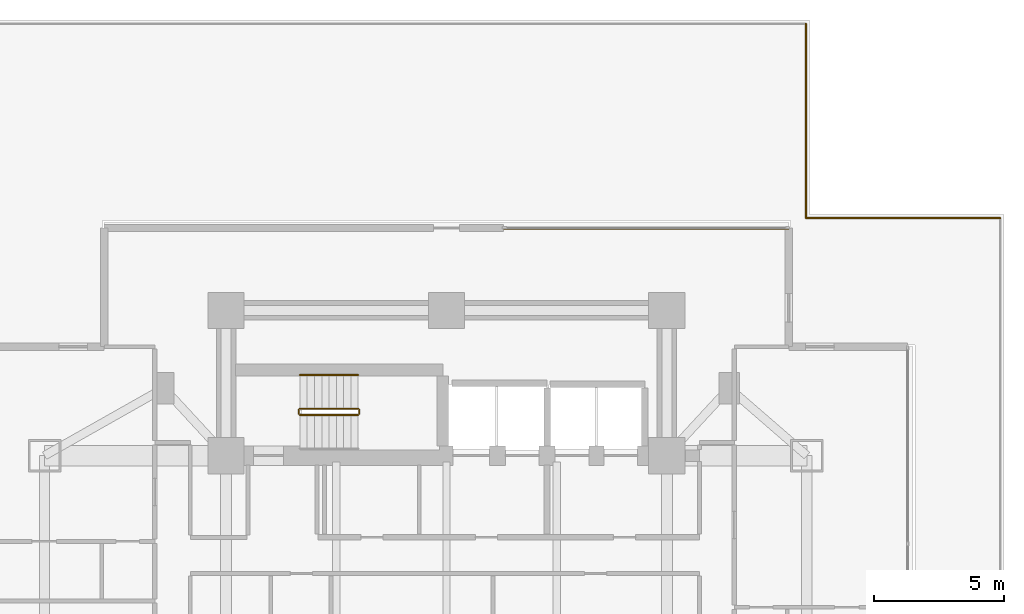
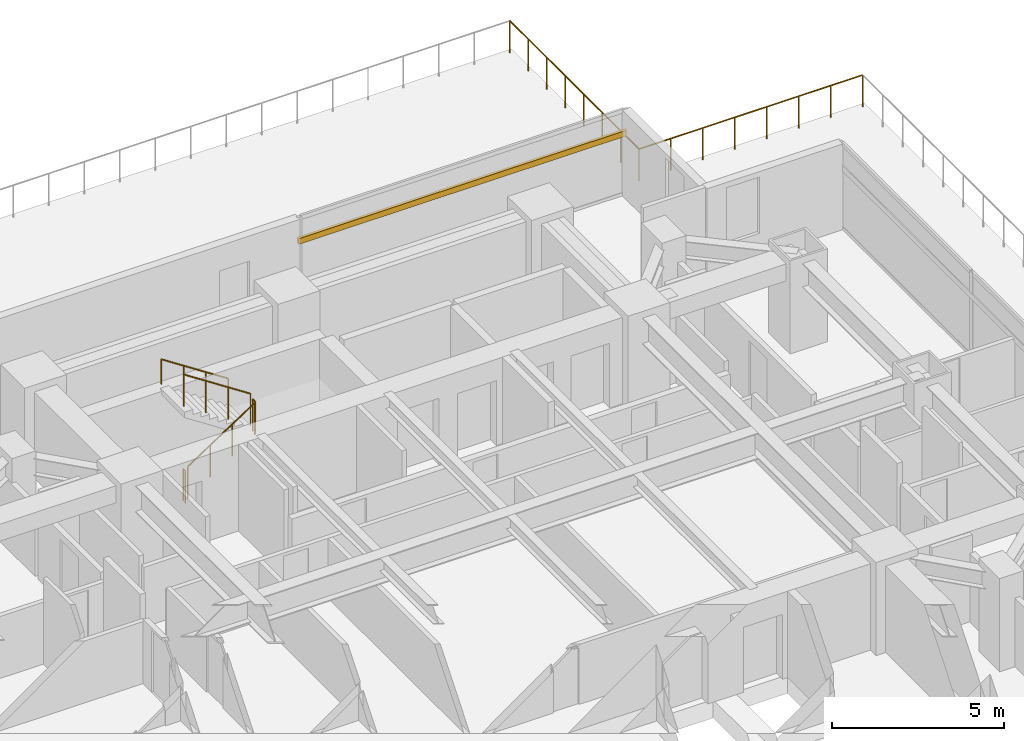
# One storey, part 26 of 26: 7 railings, 1 shading device.
"""IFC4 building model written with IfcOpenShell, lengths in metres."""

from ifc_helpers import new_model, si_unit, direction, frame, origin, origin_2d, place, context, subcontext, project, spatial, rectangle, circle, extrude, material, material_profile, profile_set, type_object, element, save


model = new_model("IFC4")

# Units and contexts
model_context = context("Model", 3, precision=1e-05, world=origin(), true_north=direction((0.0, 1.0)))
body_context = subcontext(model_context, "Body", "Model", "MODEL_VIEW")
ifc_project = project(units=[si_unit("LENGTHUNIT", "METRE"), si_unit("AREAUNIT", "SQUARE_METRE"), si_unit("VOLUMEUNIT", "CUBIC_METRE"), si_unit("PLANEANGLEUNIT", "RADIAN"), si_unit("MASSUNIT", "GRAM", prefix="KILO")], contexts=[model_context])

# Site, building, storey
site_placement = place(None, origin())
site = spatial("IfcSite", under=ifc_project, at=site_placement, CompositionType="ELEMENT")
building_placement = place(site_placement, origin())
building = spatial("IfcBuilding", under=site, at=building_placement, Name="Mirazonda Arch Towers", CompositionType="ELEMENT")
storey_placement = place(building_placement, frame((0.0, 0.0, 22.39990234375)))
storey = spatial("IfcBuildingStorey", under=building, at=storey_placement, Name="L05", CompositionType="ELEMENT", Elevation=22.39990234375)

# Shading device
ifc_material_1 = material(Name="Kiln-Fired Architectural Terracotta", Category="masonry")
ifc_material_profile = material_profile(ifc_material_1, rectangle(XDim=0.10009765625, YDim=0.199951171875, at=origin_2d()), Name="TERRA-BAG-100x200")
ifc_profile_set = profile_set([ifc_material_profile], Name="Kiln-Fired Architectural Terracotta")
shading_device_type = type_object("IfcShadingDeviceType", Name="BAGUETTE-2", PredefinedType="USERDEFINED", material=ifc_profile_set)
shading_device_placement = place(storey_placement, frame((78.699951171875, 43.97998046875, 2.18896484375), z_axis=(1.0, 0.0, 0.0), x_axis=(0.0, 1.0, 0.0)))
element("IfcShadingDevice", 1, at=shading_device_placement, inside=storey, type_object=shading_device_type, Name="L05 Glazed Terracotta Sun-Screen Baguette CW-L05-T2-N", ObjectType="BAGUETTE", PredefinedType="USERDEFINED", context=body_context, shape_type="SweptSolid", body=[
    extrude(rectangle(XDim=0.10009765625, YDim=0.199951171875, at=origin_2d()), origin(), (0.0, 0.0, 1.0), 11.0),
])

# Railings
ifc_material_2 = material(Name="Architectural Brushed Steel S355", Category="steel")
railing_type_1 = type_object("IfcRailingType", Name="GUARD-EXT-1150", PredefinedType="GUARDRAIL", material=ifc_material_2)
railing_1_placement = place(storey_placement, frame((97.860107421875, 44.360107421875, 0.0)))
element("IfcRailing", 2, at=railing_1_placement, inside=storey, type_object=railing_type_1, Name="L05 Podium Roof Terrace Perimeter Guard 06", PredefinedType="GUARDRAIL", context=body_context, shape_type="SweptSolid", body=[
    extrude(circle(Radius=0.02392578125, at=origin_2d()), frame((0.0, 0.0, 1.1259765625), z_axis=(-1.0, 0.0, 0.0), x_axis=(0.0, -1.0, 0.0)), (0.0, 0.0, 1.0), 7.5),
    extrude(circle(Radius=0.02099609375, at=origin_2d()), origin(), (0.0, 0.0, 1.0), 1.101806640625),
    extrude(circle(Radius=0.02099609375, at=origin_2d()), frame((-1.071533203125, 0.0, 0.0)), (0.0, 0.0, 1.0), 1.101806640625),
    extrude(circle(Radius=0.02099609375, at=origin_2d()), frame((-2.142822265625, 0.0, 0.0)), (0.0, 0.0, 1.0), 1.101806640625),
    extrude(circle(Radius=0.02099609375, at=origin_2d()), frame((-3.21435546875, 0.0, 0.0)), (0.0, 0.0, 1.0), 1.101806640625),
    extrude(circle(Radius=0.02099609375, at=origin_2d()), frame((-4.28564453125, 0.0, 0.0)), (0.0, 0.0, 1.0), 1.101806640625),
    extrude(circle(Radius=0.02099609375, at=origin_2d()), frame((-5.357177734375, 0.0, 0.0)), (0.0, 0.0, 1.0), 1.101806640625),
    extrude(circle(Radius=0.02099609375, at=origin_2d()), frame((-6.428466796875, 0.0, 0.0)), (0.0, 0.0, 1.0), 1.101806640625),
    extrude(circle(Radius=0.02099609375, at=origin_2d()), frame((-7.5, 0.0, 0.0)), (0.0, 0.0, 1.0), 1.101806640625),
])
railing_2_placement = place(storey_placement, frame((90.360107421875, 44.360107421875, 0.0)))
element("IfcRailing", 3, at=railing_2_placement, inside=storey, type_object=railing_type_1, Name="L05 Podium Roof Terrace Perimeter Guard 07", PredefinedType="GUARDRAIL", context=body_context, shape_type="SweptSolid", body=[
    extrude(circle(Radius=0.02392578125, at=origin_2d()), frame((0.0, 0.0, 1.1259765625), z_axis=(0.0, 1.0, 0.0), x_axis=(-1.0, 0.0, 0.0)), (0.0, 0.0, 1.0), 7.5),
    extrude(circle(Radius=0.02099609375, at=origin_2d()), origin(), (0.0, 0.0, 1.0), 1.101806640625),
    extrude(circle(Radius=0.02099609375, at=origin_2d()), frame((0.0, 1.071533203125, 0.0)), (0.0, 0.0, 1.0), 1.101806640625),
    extrude(circle(Radius=0.02099609375, at=origin_2d()), frame((0.0, 2.142822265625, 0.0)), (0.0, 0.0, 1.0), 1.101806640625),
    extrude(circle(Radius=0.02099609375, at=origin_2d()), frame((0.0, 3.21435546875, 0.0)), (0.0, 0.0, 1.0), 1.101806640625),
    extrude(circle(Radius=0.02099609375, at=origin_2d()), frame((0.0, 4.28564453125, 0.0)), (0.0, 0.0, 1.0), 1.101806640625),
    extrude(circle(Radius=0.02099609375, at=origin_2d()), frame((0.0, 5.357177734375, 0.0)), (0.0, 0.0, 1.0), 1.101806640625),
    extrude(circle(Radius=0.02099609375, at=origin_2d()), frame((0.0, 6.428466796875, 0.0)), (0.0, 0.0, 1.0), 1.101806640625),
    extrude(circle(Radius=0.02099609375, at=origin_2d()), frame((0.0, 7.5, 0.0)), (0.0, 0.0, 1.0), 1.101806640625),
])
railing_type_2 = type_object("IfcRailingType", Name="GUARD-STAIR-1120", PredefinedType="GUARDRAIL", material=ifc_material_2)
railing_3_placement = place(storey_placement, frame((70.85009765625, 36.77001953125, 0.183349609375)))
element("IfcRailing", 4, at=railing_3_placement, inside=storey, type_object=railing_type_2, Name="L05 ST-T2N stair guard 1", PredefinedType="GUARDRAIL", context=body_context, shape_type="SweptSolid", body=[
    extrude(circle(Radius=0.02392578125, at=origin_2d()), frame((0.0, 0.0, 1.1259765625), z_axis=(0.836595146698, 0.0, 0.547821650285), x_axis=(0.0, 1.0, 0.0)), (0.0, 0.0, 1.0), 2.677490234375),
    extrude(circle(Radius=0.02099609375, at=origin_2d()), origin(), (0.0, 0.0, 1.0), 1.101806640625),
    extrude(circle(Radius=0.02099609375, at=origin_2d()), frame((0.74658203125, 0.0, 0.489013671875)), (0.0, 0.0, 1.0), 1.101806640625),
    extrude(circle(Radius=0.02099609375, at=origin_2d()), frame((1.493408203125, 0.0, 0.977783203125)), (0.0, 0.0, 1.0), 1.101806640625),
    extrude(circle(Radius=0.02099609375, at=origin_2d()), frame((2.239990234375, 0.0, 1.466796875)), (0.0, 0.0, 1.0), 1.101806640625),
])
railing_4_placement = place(storey_placement, frame((73.139892578125, 36.820068359375, 1.650146484375)))
element("IfcRailing", 5, at=railing_4_placement, inside=storey, type_object=railing_type_2, Name="L05 ST-T2N stair guard 2", PredefinedType="GUARDRAIL", context=body_context, shape_type="SweptSolid", body=[
    extrude(circle(Radius=0.02392578125, at=origin_2d()), frame((0.0, 0.0, 1.1259765625), z_axis=(0.0, 1.0, 0.0), x_axis=(-1.0, 0.0, 0.0)), (0.0, 0.0, 1.0), 0.139892578125),
    extrude(circle(Radius=0.02099609375, at=origin_2d()), origin(), (0.0, 0.0, 1.0), 1.101806640625),
    extrude(circle(Radius=0.02099609375, at=origin_2d()), frame((0.0, 0.139892578125, 0.0)), (0.0, 0.0, 1.0), 1.101806640625),
])
railing_5_placement = place(storey_placement, frame((73.090087890625, 37.010009765625, 1.83349609375)))
element("IfcRailing", 6, at=railing_5_placement, inside=storey, type_object=railing_type_2, Name="L05 ST-T2N stair guard 3", PredefinedType="GUARDRAIL", context=body_context, shape_type="SweptSolid", body=[
    extrude(circle(Radius=0.02392578125, at=origin_2d()), frame((0.0, 0.0, 1.1259765625), z_axis=(-0.836636935527, 0.0, 0.547757827979), x_axis=(0.0, -1.0, 0.0)), (0.0, 0.0, 1.0), 2.677490234375),
    extrude(circle(Radius=0.02099609375, at=origin_2d()), origin(), (0.0, 0.0, 1.0), 1.101806640625),
    extrude(circle(Radius=0.02099609375, at=origin_2d()), frame((-0.74658203125, 0.0, 0.48876953125)), (0.0, 0.0, 1.0), 1.101806640625),
    extrude(circle(Radius=0.02099609375, at=origin_2d()), frame((-1.493408203125, 0.0, 0.977783203125)), (0.0, 0.0, 1.0), 1.101806640625),
    extrude(circle(Radius=0.02099609375, at=origin_2d()), frame((-2.239990234375, 0.0, 1.466552734375)), (0.0, 0.0, 1.0), 1.101806640625),
])
railing_6_placement = place(storey_placement, frame((70.800048828125, 36.820068359375, 0.0)))
element("IfcRailing", 7, at=railing_6_placement, inside=storey, type_object=railing_type_2, Name="L05 ST-T2N stair guard 4", PredefinedType="GUARDRAIL", context=body_context, shape_type="SweptSolid", body=[
    extrude(circle(Radius=0.02392578125, at=origin_2d()), frame((0.0, 0.0, 1.1259765625), z_axis=(0.0, 1.0, 0.0), x_axis=(-1.0, 0.0, 0.0)), (0.0, 0.0, 1.0), 0.139892578125),
    extrude(circle(Radius=0.02099609375, at=origin_2d()), origin(), (0.0, 0.0, 1.0), 1.101806640625),
    extrude(circle(Radius=0.02099609375, at=origin_2d()), frame((0.0, 0.139892578125, 0.0)), (0.0, 0.0, 1.0), 1.101806640625),
])
railing_type_3 = type_object("IfcRailingType", Name="HANDRAIL-915", PredefinedType="HANDRAIL", material=ifc_material_2)
railing_7_placement = place(storey_placement, frame((73.090087890625, 38.31005859375, 1.83349609375)))
element("IfcRailing", 8, at=railing_7_placement, inside=storey, type_object=railing_type_3, Name="L05 ST-T2N stair handrail 2", PredefinedType="HANDRAIL", context=body_context, shape_type="SweptSolid", body=[
    extrude(circle(Radius=0.02392578125, at=origin_2d()), frame((0.0, 0.0, 0.8759765625), z_axis=(-0.836636935527, 0.0, 0.547757827979), x_axis=(0.0, -1.0, 0.0)), (0.0, 0.0, 1.0), 2.677490234375),
    extrude(circle(Radius=0.02099609375, at=origin_2d()), origin(), (0.0, 0.0, 1.0), 0.851806640625),
    extrude(circle(Radius=0.02099609375, at=origin_2d()), frame((-0.74658203125, 0.0, 0.48876953125)), (0.0, 0.0, 1.0), 0.851806640625),
    extrude(circle(Radius=0.02099609375, at=origin_2d()), frame((-1.493408203125, 0.0, 0.977783203125)), (0.0, 0.0, 1.0), 0.851806640625),
    extrude(circle(Radius=0.02099609375, at=origin_2d()), frame((-2.239990234375, 0.0, 1.466552734375)), (0.0, 0.0, 1.0), 0.851806640625),
])

save(model, "model.ifc")
